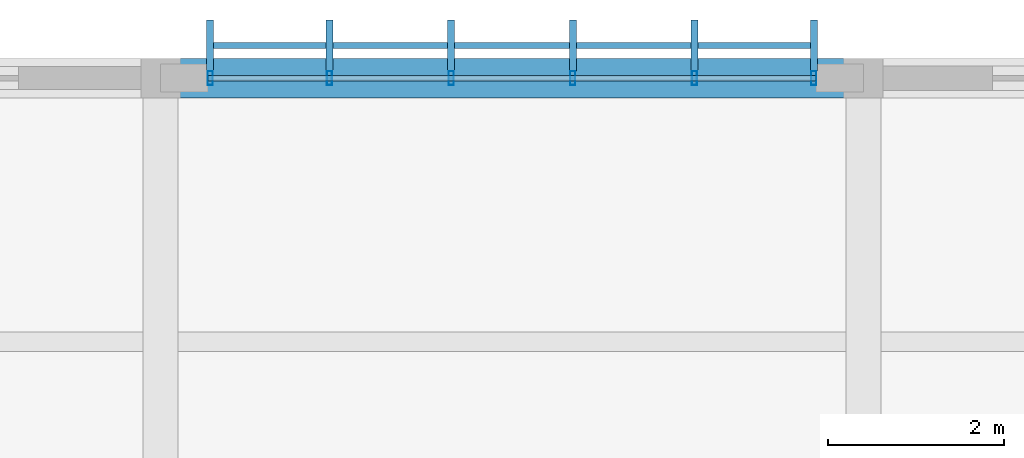
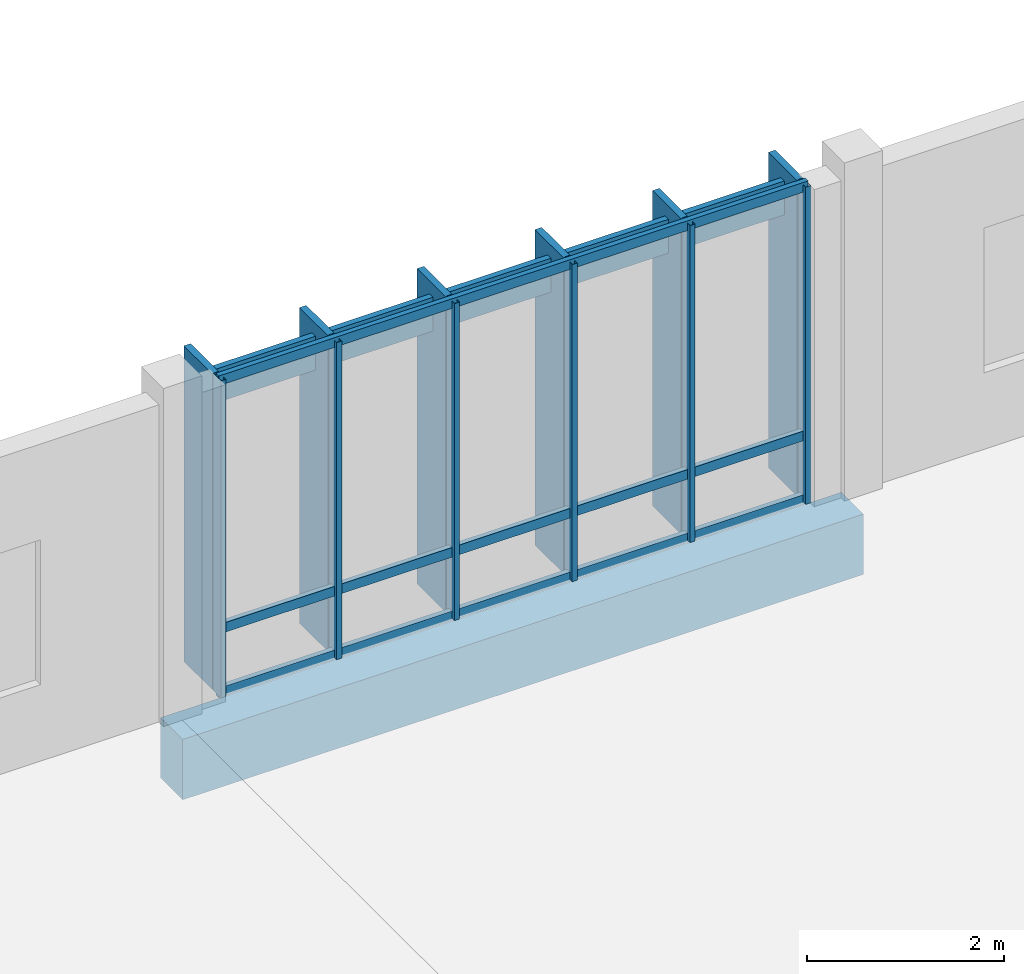
# One storey, part 61 of 94: 16 members, 1 beam, 1 element without a shape of its own.
"""IFC4 building model written with IfcOpenShell, lengths in metres."""

from ifc_helpers import new_model, si_unit, direction, frame, origin, origin_2d, place, context, subcontext, project, spatial, rectangle, hollow_rectangle, extrude, material, material_profile, profile_set, type_object, element, aggregate, save


model = new_model("IFC4")

# Units and contexts
model_context = context("Model", 3, precision=1e-05, world=origin(), true_north=direction((0.0, 1.0)))
body_context = subcontext(model_context, "Body", "Model", "MODEL_VIEW")
ifc_project = project(units=[si_unit("LENGTHUNIT", "METRE"), si_unit("AREAUNIT", "SQUARE_METRE"), si_unit("VOLUMEUNIT", "CUBIC_METRE"), si_unit("PLANEANGLEUNIT", "RADIAN"), si_unit("MASSUNIT", "GRAM", prefix="KILO")], contexts=[model_context])

# Site, building, storey
site_placement = place(None, origin())
site = spatial("IfcSite", under=ifc_project, at=site_placement, CompositionType="ELEMENT")
building_placement = place(site_placement, origin())
building = spatial("IfcBuilding", under=site, at=building_placement, Name="Chiffa Square Polytechnic", CompositionType="ELEMENT")
storey_placement = place(building_placement, frame((0.0, 0.0, 18.0)))
storey = spatial("IfcBuildingStorey", under=building, at=storey_placement, Name="L04", CompositionType="ELEMENT", Elevation=18.0)

# Beam
ifc_material_1 = material(Name="Concrete C35/45", Category="concrete")
ifc_material_profile_1 = material_profile(ifc_material_1, rectangle(XDim=0.449951171875, YDim=0.75, at=origin_2d()), Name="RC 450x750")
ifc_profile_set_1 = profile_set([ifc_material_profile_1], Name="Concrete C35/45")
beam_type = type_object("IfcBeamType", Name="BM-RC-450X750", PredefinedType="BEAM", material=ifc_profile_set_1)
beam_placement = place(storey_placement, frame((24.0, 130.800048828125, -0.614990234375), z_axis=(1.0, 0.0, 0.0), x_axis=(0.0, 1.0, 0.0)))
element("IfcBeam", 1, at=beam_placement, inside=storey, type_object=beam_type, Name="Primary floor girder BM-V5-L04-X-0240-1308", PredefinedType="BEAM", context=body_context, shape_type="SweptSolid", body=[
    extrude(rectangle(XDim=0.449951171875, YDim=0.75, at=origin_2d()), origin(), (0.0, 0.0, 1.0), 8.0),
])

# Curtain wall, members
ifc_material_2 = material(Name="Aluminium EN AW-6060 T66 and glulam shading", Category="wood")
curtain_wall_type = type_object("IfcCurtainWallType", Name="CW-VERT-540X440", PredefinedType="USERDEFINED", material=ifc_material_2)
curtain_wall_placement = place(storey_placement, origin())
curtain_wall = element("IfcCurtainWall", 2, at=curtain_wall_placement, inside=storey, type_object=curtain_wall_type, Name="Curtain wall CW-V5-L04-247", ObjectType="CURTAIN WALL", PredefinedType="USERDEFINED")
ifc_material_3 = material(Name="Aluminium EN AW-6060 T66", Category="aluminium")
ifc_material_profile_2 = material_profile(ifc_material_3, hollow_rectangle(XDim=0.06005859375, YDim=0.159912109375, WallThickness=0.00390625, at=origin_2d()), Name="ALU 60x160x4")
ifc_profile_set_2 = profile_set([ifc_material_profile_2], Name="Aluminium EN AW-6060 T66")
member_type_1 = type_object("IfcMemberType", Name="CWM-ALU-65X150", PredefinedType="MULLION", material=ifc_profile_set_2)
member_1_placement = place(storey_placement, frame((31.43505859375, 130.800048828125, 0.0), z_axis=(0.0, 0.0, 1.0), x_axis=(1.0, 0.0, 0.0)))
member_1 = element("IfcMember", 3, at=member_1_placement, type_object=member_type_1, Name="Curtain wall mullion CW-V5-L04-247-M00", PredefinedType="MULLION", context=body_context, shape_type="SweptSolid", body=[
    extrude(hollow_rectangle(XDim=0.06005859375, YDim=0.159912109375, WallThickness=0.00390625, at=origin_2d()), origin(), (0.0, 0.0, 1.0), 3.93994140625),
])
member_2_placement = place(storey_placement, frame((30.075927734375, 130.800048828125, 0.0), z_axis=(0.0, 0.0, 1.0), x_axis=(1.0, 0.0, 0.0)))
member_2 = element("IfcMember", 4, at=member_2_placement, type_object=member_type_1, Name="Curtain wall mullion CW-V5-L04-247-M01", PredefinedType="MULLION", context=body_context, shape_type="SweptSolid", body=[
    extrude(hollow_rectangle(XDim=0.06005859375, YDim=0.159912109375, WallThickness=0.00390625, at=origin_2d()), origin(), (0.0, 0.0, 1.0), 3.93994140625),
])
member_3_placement = place(storey_placement, frame((28.69189453125, 130.800048828125, 0.0), z_axis=(0.0, 0.0, 1.0), x_axis=(1.0, 0.0, 0.0)))
member_3 = element("IfcMember", 5, at=member_3_placement, type_object=member_type_1, Name="Curtain wall mullion CW-V5-L04-247-M02", PredefinedType="MULLION", context=body_context, shape_type="SweptSolid", body=[
    extrude(hollow_rectangle(XDim=0.06005859375, YDim=0.159912109375, WallThickness=0.00390625, at=origin_2d()), origin(), (0.0, 0.0, 1.0), 3.93994140625),
])
member_4_placement = place(storey_placement, frame((27.30810546875, 130.800048828125, 0.0), z_axis=(0.0, 0.0, 1.0), x_axis=(1.0, 0.0, 0.0)))
member_4 = element("IfcMember", 6, at=member_4_placement, type_object=member_type_1, Name="Curtain wall mullion CW-V5-L04-247-M03", PredefinedType="MULLION", context=body_context, shape_type="SweptSolid", body=[
    extrude(hollow_rectangle(XDim=0.06005859375, YDim=0.159912109375, WallThickness=0.00390625, at=origin_2d()), origin(), (0.0, 0.0, 1.0), 3.93994140625),
])
member_5_placement = place(storey_placement, frame((25.924072265625, 130.800048828125, 0.0), z_axis=(0.0, 0.0, 1.0), x_axis=(1.0, 0.0, 0.0)))
member_5 = element("IfcMember", 7, at=member_5_placement, type_object=member_type_1, Name="Curtain wall mullion CW-V5-L04-247-M04", PredefinedType="MULLION", context=body_context, shape_type="SweptSolid", body=[
    extrude(hollow_rectangle(XDim=0.06005859375, YDim=0.159912109375, WallThickness=0.00390625, at=origin_2d()), origin(), (0.0, 0.0, 1.0), 3.93994140625),
])
member_6_placement = place(storey_placement, frame((24.56494140625, 130.800048828125, 0.0), z_axis=(0.0, 0.0, 1.0), x_axis=(1.0, 0.0, 0.0)))
member_6 = element("IfcMember", 8, at=member_6_placement, type_object=member_type_1, Name="Curtain wall mullion CW-V5-L04-247-M05", PredefinedType="MULLION", context=body_context, shape_type="SweptSolid", body=[
    extrude(hollow_rectangle(XDim=0.06005859375, YDim=0.159912109375, WallThickness=0.00390625, at=origin_2d()), origin(), (0.0, 0.0, 1.0), 3.93994140625),
])
ifc_material_4 = material(Name="Glulam GL28h", Category="wood")
ifc_material_profile_3 = material_profile(ifc_material_4, rectangle(XDim=0.080078125, YDim=0.580078125, at=origin_2d()), Name="GL28h 80x580")
ifc_profile_set_3 = profile_set([ifc_material_profile_3], Name="Glulam GL28h")
member_type_2 = type_object("IfcMemberType", Name="CWM-GL-80X580", PredefinedType="MULLION", material=ifc_profile_set_3)
member_7_placement = place(storey_placement, frame((31.43505859375, 131.172119140625, 0.010009765625), z_axis=(0.0, 0.0, 1.0), x_axis=(-1.0, 0.0, 0.0)))
member_7 = element("IfcMember", 9, at=member_7_placement, type_object=member_type_2, Name="Exterior glulam solar fin CW-V5-L04-247-FN00", PredefinedType="MULLION", context=body_context, shape_type="SweptSolid", body=[
    extrude(rectangle(XDim=0.080078125, YDim=0.580078125, at=origin_2d()), origin(), (0.0, 0.0, 1.0), 3.919921875),
])
member_8_placement = place(storey_placement, frame((30.075927734375, 131.172119140625, 0.010009765625), z_axis=(0.0, 0.0, 1.0), x_axis=(-1.0, 0.0, 0.0)))
member_8 = element("IfcMember", 10, at=member_8_placement, type_object=member_type_2, Name="Exterior glulam solar fin CW-V5-L04-247-FN01", PredefinedType="MULLION", context=body_context, shape_type="SweptSolid", body=[
    extrude(rectangle(XDim=0.080078125, YDim=0.580078125, at=origin_2d()), origin(), (0.0, 0.0, 1.0), 3.919921875),
])
member_9_placement = place(storey_placement, frame((28.69189453125, 131.172119140625, 0.010009765625), z_axis=(0.0, 0.0, 1.0), x_axis=(-1.0, 0.0, 0.0)))
member_9 = element("IfcMember", 11, at=member_9_placement, type_object=member_type_2, Name="Exterior glulam solar fin CW-V5-L04-247-FN02", PredefinedType="MULLION", context=body_context, shape_type="SweptSolid", body=[
    extrude(rectangle(XDim=0.080078125, YDim=0.580078125, at=origin_2d()), origin(), (0.0, 0.0, 1.0), 3.919921875),
])
member_10_placement = place(storey_placement, frame((27.30810546875, 131.172119140625, 0.010009765625), z_axis=(0.0, 0.0, 1.0), x_axis=(-1.0, 0.0, 0.0)))
member_10 = element("IfcMember", 12, at=member_10_placement, type_object=member_type_2, Name="Exterior glulam solar fin CW-V5-L04-247-FN03", PredefinedType="MULLION", context=body_context, shape_type="SweptSolid", body=[
    extrude(rectangle(XDim=0.080078125, YDim=0.580078125, at=origin_2d()), origin(), (0.0, 0.0, 1.0), 3.919921875),
])
member_11_placement = place(storey_placement, frame((25.924072265625, 131.172119140625, 0.010009765625), z_axis=(0.0, 0.0, 1.0), x_axis=(-1.0, 0.0, 0.0)))
member_11 = element("IfcMember", 13, at=member_11_placement, type_object=member_type_2, Name="Exterior glulam solar fin CW-V5-L04-247-FN04", PredefinedType="MULLION", context=body_context, shape_type="SweptSolid", body=[
    extrude(rectangle(XDim=0.080078125, YDim=0.580078125, at=origin_2d()), origin(), (0.0, 0.0, 1.0), 3.919921875),
])
member_12_placement = place(storey_placement, frame((24.56494140625, 131.172119140625, 0.010009765625), z_axis=(0.0, 0.0, 1.0), x_axis=(-1.0, 0.0, 0.0)))
member_12 = element("IfcMember", 14, at=member_12_placement, type_object=member_type_2, Name="Exterior glulam solar fin CW-V5-L04-247-FN05", PredefinedType="MULLION", context=body_context, shape_type="SweptSolid", body=[
    extrude(rectangle(XDim=0.080078125, YDim=0.580078125, at=origin_2d()), origin(), (0.0, 0.0, 1.0), 3.919921875),
])
ifc_material_profile_4 = material_profile(ifc_material_3, hollow_rectangle(XDim=0.06005859375, YDim=0.1201171875, WallThickness=0.00390625, at=origin_2d()), Name="ALU 60x120x4")
ifc_profile_set_4 = profile_set([ifc_material_profile_4], Name="Aluminium EN AW-6060 T66")
member_type_3 = type_object("IfcMemberType", Name="CWT-ALU-65X120", PredefinedType="USERDEFINED", material=ifc_profile_set_4)
member_13_placement = place(storey_placement, frame((31.4619140625, 130.800048828125, 0.030029296875), z_axis=(-1.0, 0.0, 0.0), x_axis=(0.0, -1.0, 0.0)))
member_13 = element("IfcMember", 15, at=member_13_placement, type_object=member_type_3, Name="Curtain wall transom CW-V5-L04-247-T01", ObjectType="TRANSOM", PredefinedType="USERDEFINED", context=body_context, shape_type="SweptSolid", body=[
    extrude(hollow_rectangle(XDim=0.06005859375, YDim=0.1201171875, WallThickness=0.00390625, at=origin_2d()), origin(), (0.0, 0.0, 1.0), 6.923828125),
])
member_14_placement = place(storey_placement, frame((31.4619140625, 130.800048828125, 0.820068359375), z_axis=(-1.0, 0.0, 0.0), x_axis=(0.0, -1.0, 0.0)))
member_14 = element("IfcMember", 16, at=member_14_placement, type_object=member_type_3, Name="Curtain wall transom CW-V5-L04-247-T02", ObjectType="TRANSOM", PredefinedType="USERDEFINED", context=body_context, shape_type="SweptSolid", body=[
    extrude(hollow_rectangle(XDim=0.06005859375, YDim=0.1201171875, WallThickness=0.00390625, at=origin_2d()), origin(), (0.0, 0.0, 1.0), 6.923828125),
])
member_15_placement = place(storey_placement, frame((31.4619140625, 130.800048828125, 3.909912109375), z_axis=(-1.0, 0.0, 0.0), x_axis=(0.0, -1.0, 0.0)))
member_15 = element("IfcMember", 17, at=member_15_placement, type_object=member_type_3, Name="Curtain wall transom CW-V5-L04-247-T03", ObjectType="TRANSOM", PredefinedType="USERDEFINED", context=body_context, shape_type="SweptSolid", body=[
    extrude(hollow_rectangle(XDim=0.06005859375, YDim=0.1201171875, WallThickness=0.00390625, at=origin_2d()), origin(), (0.0, 0.0, 1.0), 6.923828125),
])
ifc_material_profile_5 = material_profile(ifc_material_4, rectangle(XDim=0.070068359375, YDim=0.419921875, at=origin_2d()), Name="GL28h 70x420")
ifc_profile_set_5 = profile_set([ifc_material_profile_5], Name="Glulam GL28h")
member_type_4 = type_object("IfcMemberType", Name="CWT-GL-70X420", PredefinedType="USERDEFINED", material=ifc_profile_set_5)
member_16_placement = place(storey_placement, frame((31.43505859375, 131.172119140625, 3.56005859375), z_axis=(-1.0, 0.0, 0.0), x_axis=(0.0, -1.0, 0.0)))
member_16 = element("IfcMember", 18, at=member_16_placement, type_object=member_type_4, Name="Exterior glulam brise-soleil CW-V5-L04-247-BS01", ObjectType="TRANSOM", PredefinedType="USERDEFINED", context=body_context, shape_type="SweptSolid", body=[
    extrude(rectangle(XDim=0.070068359375, YDim=0.419921875, at=origin_2d()), origin(), (0.0, 0.0, 1.0), 6.8701171875),
])
aggregate(curtain_wall, [member_1, member_7, member_2, member_8, member_3, member_9, member_4, member_10, member_5, member_11, member_6, member_12, member_13, member_14, member_15, member_16])

save(model, "model.ifc")
